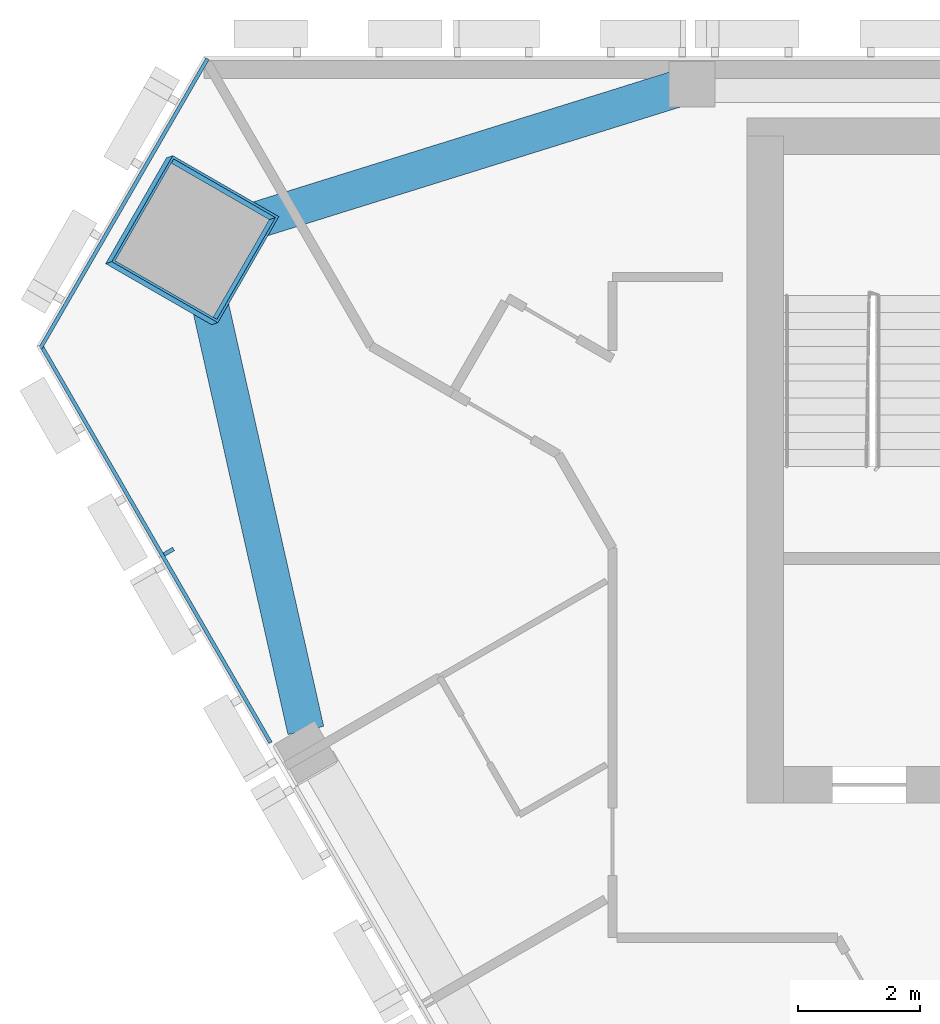
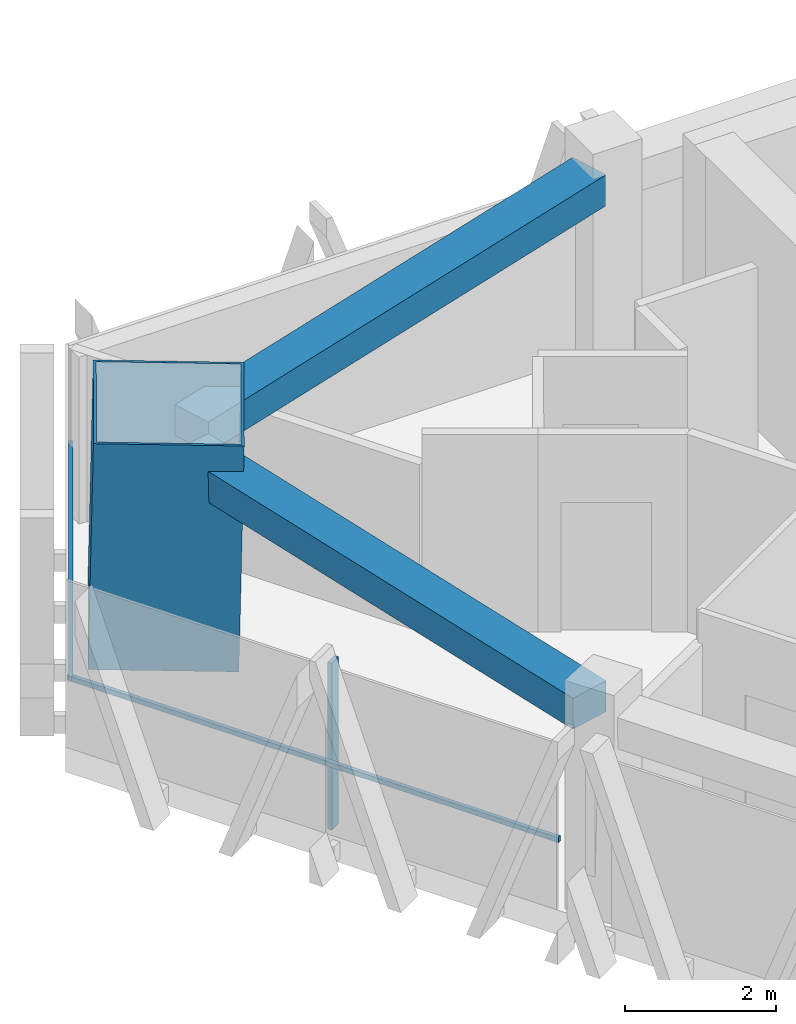
# One storey, part 5 of 14: 4 members, 2 beams, 2 elements without a shape of their own.
"""IFC4 building model written with IfcOpenShell, lengths in metres."""

from ifc_helpers import new_model, si_unit, direction, frame, origin, origin_2d, place, context, subcontext, project, spatial, rectangle, hollow_rectangle, extrude, material, layer, layer_set, material_profile, profile_set, type_object, element, aggregate, save


model = new_model("IFC4")

# Units and contexts
model_context = context("Model", 3, precision=1e-05, world=origin(), true_north=direction((0.0, 1.0)))
body_context = subcontext(model_context, "Body", "Model", "MODEL_VIEW")
ifc_project = project(units=[si_unit("LENGTHUNIT", "METRE"), si_unit("AREAUNIT", "SQUARE_METRE"), si_unit("VOLUMEUNIT", "CUBIC_METRE"), si_unit("PLANEANGLEUNIT", "RADIAN"), si_unit("MASSUNIT", "GRAM", prefix="KILO")], contexts=[model_context])

# Site, building, storey
site_placement = place(None, origin())
site = spatial("IfcSite", under=ifc_project, at=site_placement, CompositionType="ELEMENT")
building_placement = place(site_placement, origin())
building = spatial("IfcBuilding", under=site, at=building_placement, Name="Altiplano Prism Tower", CompositionType="ELEMENT")
storey_placement = place(building_placement, frame((0.0, 0.0, 239.199951171875)))
storey = spatial("IfcBuildingStorey", under=building, at=storey_placement, Name="L61", CompositionType="ELEMENT", Elevation=239.199951171875)

# Curtain wall, member
ifc_material_1 = material(Name="Aluminium and glass", Category="aluminium")
ifc_layer = layer(ifc_material_1, 0.280029296875)
ifc_layer_set = layer_set([ifc_layer], Name="Aluminium and glass")
curtain_wall_type = type_object("IfcCurtainWallType", Name="CW1 typical co-living unitised curtain wall", PredefinedType="NOTDEFINED", material=ifc_layer_set)
curtain_wall_1_placement = place(storey_placement, origin())
curtain_wall_1 = element("IfcCurtainWall", 1, at=curtain_wall_1_placement, inside=storey, type_object=curtain_wall_type, Name="CW1 curtain wall south-west face L61", PredefinedType="NOTDEFINED")
ifc_material_2 = material(Name="Aluminium", Category="aluminium")
ifc_material_profile_1 = material_profile(ifc_material_2, rectangle(XDim=0.179931640625, YDim=0.06494140625, at=origin_2d()), Name="CW1 mullion 65 x 180")
ifc_profile_set_1 = profile_set([ifc_material_profile_1], Name="Aluminium")
member_type_1 = type_object("IfcMemberType", Name="CW1 mullion 65 x 180", PredefinedType="MULLION", material=ifc_profile_set_1)
member_1_placement = place(storey_placement, frame((62.947998046875, 96.908447265625, 0.0), z_axis=(0.0, 0.0, 1.0), x_axis=(0.866025402772, 0.500000001753, 0.0)))
member_1 = element("IfcMember", 2, at=member_1_placement, type_object=member_type_1, Name="CW1 mullion", PredefinedType="MULLION", context=body_context, shape_type="SweptSolid", body=[
    extrude(rectangle(XDim=0.179931640625, YDim=0.06494140625, at=origin_2d()), origin(), (0.0, 0.0, 1.0), 2.699951171875),
])

curtain_wall_2_placement = place(storey_placement, origin())
curtain_wall_2 = element("IfcCurtainWall", 3, at=curtain_wall_2_placement, inside=storey, type_object=curtain_wall_type, Name="CW1 curtain wall north-west chamfer L61", PredefinedType="NOTDEFINED")
ifc_material_profile_2 = material_profile(ifc_material_2, rectangle(XDim=0.06005859375, YDim=0.080078125, at=origin_2d()), Name="CW1 transom 80 x 60")
ifc_profile_set_2 = profile_set([ifc_material_profile_2], Name="Aluminium")
member_type_2 = type_object("IfcMemberType", Name="CW1 transom 80 x 60", PredefinedType="USERDEFINED", material=ifc_profile_set_2)
member_2_placement = place(storey_placement, frame((63.58056640625, 104.965087890625, 1.10009765625), z_axis=(-0.500017734461, -0.866015164547, 0.0), x_axis=(0.866015164547, -0.500017734461, 0.0)))
member_2 = element("IfcMember", 4, at=member_2_placement, type_object=member_type_2, Name="CW1 transom", ObjectType="TRANSOM", PredefinedType="USERDEFINED", context=body_context, shape_type="SweptSolid", body=[
    extrude(rectangle(XDim=0.06005859375, YDim=0.080078125, at=origin_2d()), origin(), (0.0, 0.0, 1.0), 5.463134765625),
])
aggregate(curtain_wall_2, [member_2])

# Member
member_3_placement = place(storey_placement, frame((60.848876953125, 100.303955078125, 1.10009765625), z_axis=(0.500015439409, -0.866016489654, 0.0), x_axis=(0.866016489654, 0.500015439409, 0.0)))
member_3 = element("IfcMember", 5, at=member_3_placement, type_object=member_type_2, Name="CW1 transom", ObjectType="TRANSOM", PredefinedType="USERDEFINED", context=body_context, shape_type="SweptSolid", body=[
    extrude(rectangle(XDim=0.06005859375, YDim=0.080078125, at=origin_2d()), origin(), (0.0, 0.0, 1.0), 7.525634765625),
])

aggregate(curtain_wall_1, [member_1, member_3])

# Beams
ifc_material_3 = material(Name="Concrete C60/75", Category="concrete")
ifc_material_profile_3 = material_profile(ifc_material_3, rectangle(XDim=0.60009765625, YDim=0.5, at=origin_2d()), Name="Edge beam 600x500")
ifc_profile_set_3 = profile_set([ifc_material_profile_3], Name="Concrete C60/75")
beam_type = type_object("IfcBeamType", Name="Edge beam 600x500", PredefinedType="SPANDREL", material=ifc_profile_set_3)
for number, where, z_axis, x_axis, name in (
    (6, (71.239501953125, 104.46875, 2.949951171875), (-0.954636177286, -0.297774695058, 0.0), (0.297774695058, -0.954636177286, 0.0), "Edge beam P04-M0 L62"),
    (7, (63.48095703125, 101.57861328125, 2.949951171875), (0.219424836702, -0.975629407633, 0.0), (0.975629407633, 0.219424836702, 0.0), "Edge beam M0-P11 L62"),
):
    element("IfcBeam", number, at=place(storey_placement, frame(where, z_axis=z_axis, x_axis=x_axis)), inside=storey, type_object=beam_type, Name=name, PredefinedType="SPANDREL", context=body_context, shape_type="SweptSolid", body=[
        extrude(rectangle(XDim=0.60009765625, YDim=0.5, at=origin_2d()), origin(), (0.0, 0.0, 1.0), 7.78076171875),
    ])

# Member
ifc_material_4 = material(Name="Steel S460", Category="steel")
ifc_material_profile_4 = material_profile(ifc_material_4, hollow_rectangle(XDim=2.0, YDim=2.0, WallThickness=0.0400390625, at=origin_2d()), Name="Mega column tube 2000")
ifc_profile_set_4 = profile_set([ifc_material_profile_4], Name="Steel S460")
member_type_3 = type_object("IfcMemberType", Name="Mega column tube 2000", PredefinedType="POST", material=ifc_profile_set_4)
member_4_placement = place(storey_placement, frame((63.280029296875, 101.984375, 0.0), z_axis=(0.028334066552, 0.009286524205, 0.999555371723), x_axis=(-0.866548432855, 0.498694882943, 0.019930560557)))
element("IfcMember", 8, at=member_4_placement, inside=storey, type_object=member_type_3, Name="Mega column tube M0 L61", PredefinedType="POST", context=body_context, shape_type="SweptSolid", body=[
    extrude(hollow_rectangle(XDim=2.0, YDim=2.0, WallThickness=0.0400390625, at=origin_2d()), origin(), (0.0, 0.0, 1.0), 3.601806640625),
])

save(model, "model.ifc")
